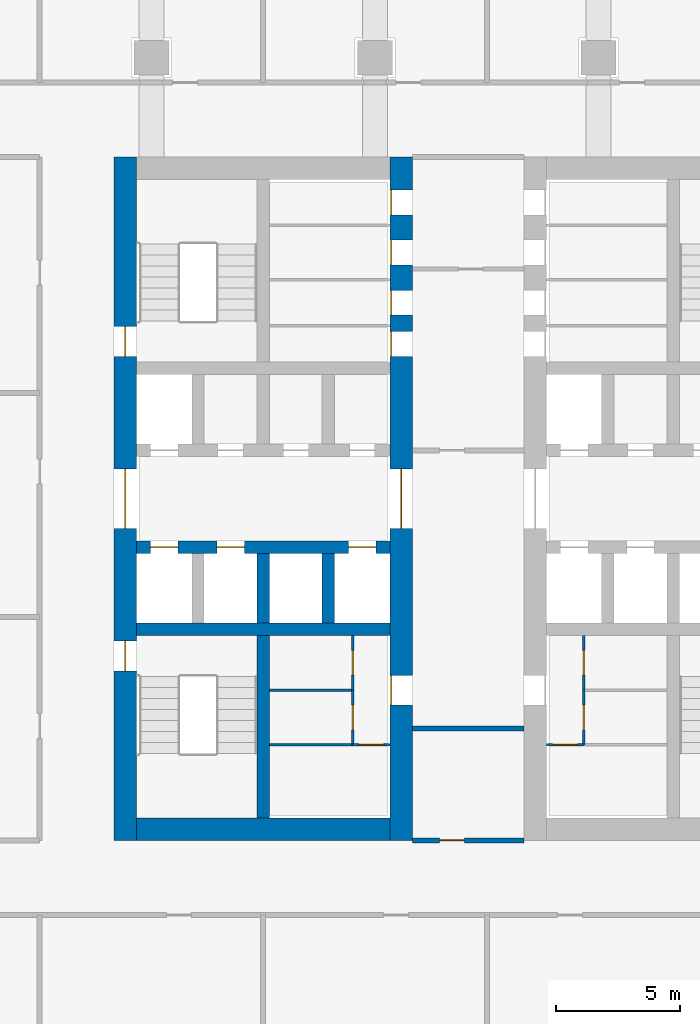
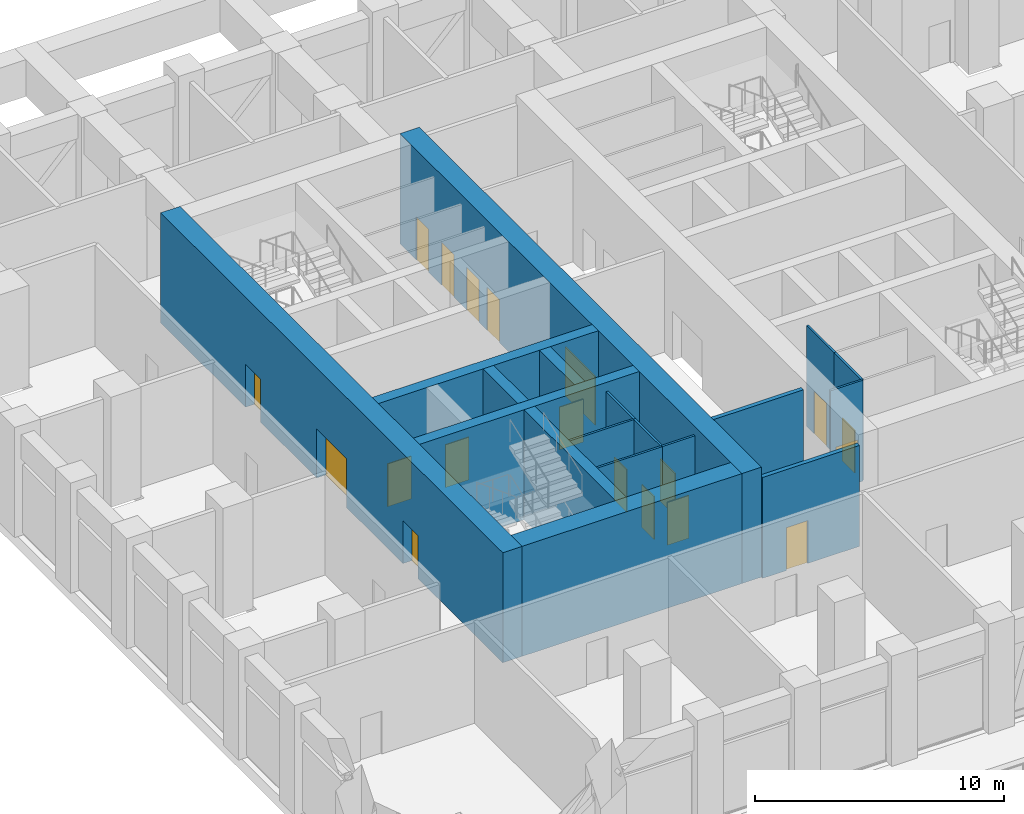
# One storey, part 4 of 20: 19 doors, 18 walls, 19 openings.
"""IFC4 building model written with IfcOpenShell, lengths in metres."""

from ifc_helpers import new_model, si_unit, direction, frame, frame_2d, origin, place, context, subcontext, project, spatial, rectangle, extrude, material, layer, layer_set, type_object, element, fill, save


model = new_model("IFC4")

# Units and contexts
model_context = context("Model", 3, precision=1e-05, world=origin(), true_north=direction((0.0, 1.0)))
body_context = subcontext(model_context, "Body", "Model", "MODEL_VIEW")
ifc_project = project(units=[si_unit("LENGTHUNIT", "METRE"), si_unit("AREAUNIT", "SQUARE_METRE"), si_unit("VOLUMEUNIT", "CUBIC_METRE"), si_unit("PLANEANGLEUNIT", "RADIAN"), si_unit("MASSUNIT", "GRAM", prefix="KILO")], contexts=[model_context])

# Site, building, storey
site_placement = place(None, origin())
site = spatial("IfcSite", under=ifc_project, at=site_placement, CompositionType="ELEMENT")
building_placement = place(site_placement, origin())
building = spatial("IfcBuilding", under=site, at=building_placement, Name="Corbel Stack Research Tower", CompositionType="ELEMENT")
storey_placement = place(building_placement, frame((0.0, 0.0, 76.60009765625)))
storey = spatial("IfcBuildingStorey", under=building, at=storey_placement, Name="L17", CompositionType="ELEMENT", Elevation=76.60009765625)

# Wall
ifc_material_1 = material(Name="Concrete C70/85", Category="concrete")
ifc_layer_1 = layer(ifc_material_1, 0.5)
ifc_layer_set_1 = layer_set([ifc_layer_1], Name="Concrete C70/85")
wall_type_1 = type_object("IfcWallType", Name="CW-500-70", PredefinedType="SHEAR", material=ifc_layer_set_1)
wall_1_placement = place(storey_placement, frame((-9.60009765625, -0.5, 0.0), z_axis=(0.0, 0.0, 1.0), x_axis=(1.0, 0.0, 0.0)))
element("IfcWall", 1, at=wall_1_placement, inside=storey, type_object=wall_type_1, Name="West core wall, south row back L17", PredefinedType="SHEAR", context=body_context, shape_type="SweptSolid", body=[
    extrude(rectangle(XDim=10.2001953125, YDim=0.5, at=frame_2d((5.10009765625, 0.0))), origin(), (0.0, 0.0, 1.0), 5.39990234375),
])

# Wall, openings, doors
wall_2_placement = place(storey_placement, frame((-9.60009765625, 2.800048828125, 0.0), z_axis=(0.0, 0.0, 1.0), x_axis=(1.0, 0.0, 0.0)))
wall_2 = element("IfcWall", 2, at=wall_2_placement, inside=storey, type_object=wall_type_1, Name="West core wall, lobby south L17", PredefinedType="SHEAR", context=body_context, shape_type="SweptSolid", body=[
    extrude(rectangle(XDim=10.2001953125, YDim=0.5, at=frame_2d((5.10009765625, 0.0))), origin(), (0.0, 0.0, 1.0), 5.39990234375),
])
opening_1_placement = place(wall_2_placement, frame((0.5625, 0.0, 0.0)))
opening_1 = element("IfcOpeningElement", 3, at=opening_1_placement, cuts=wall_2, Name="Opening LD-FS1", PredefinedType="OPENING", context=body_context, shape_type="SweptSolid", body=[
    extrude(rectangle(XDim=1.10009765625, YDim=2.10009765625, at=frame_2d((0.550048828125, 1.050048828125))), frame((0.0, 0.260009765625, 0.0), z_axis=(0.0, -1.0, 0.0), x_axis=(1.0, 0.0, 0.0)), (0.0, 0.0, 1.0), 0.52001953125),
])
opening_2_placement = place(wall_2_placement, frame((3.237548828125, 0.0, 0.0)))
opening_2 = element("IfcOpeningElement", 4, at=opening_2_placement, cuts=wall_2, Name="Opening LD-GL1", PredefinedType="OPENING", context=body_context, shape_type="SweptSolid", body=[
    extrude(rectangle(XDim=1.10009765625, YDim=2.10009765625, at=frame_2d((0.550048828125, 1.050048828125))), frame((0.0, 0.260009765625, 0.0), z_axis=(0.0, -1.0, 0.0), x_axis=(1.0, 0.0, 0.0)), (0.0, 0.0, 1.0), 0.52001953125),
])
opening_3_placement = place(wall_2_placement, frame((8.53759765625, 0.0, 0.0)))
opening_3 = element("IfcOpeningElement", 5, at=opening_3_placement, cuts=wall_2, Name="Opening LD-LR1", PredefinedType="OPENING", context=body_context, shape_type="SweptSolid", body=[
    extrude(rectangle(XDim=1.10009765625, YDim=2.10009765625, at=frame_2d((0.550048828125, 1.050048828125))), frame((0.0, 0.260009765625, 0.0), z_axis=(0.0, -1.0, 0.0), x_axis=(1.0, 0.0, 0.0)), (0.0, 0.0, 1.0), 0.52001953125),
])
ifc_material_2 = material(Name="Stainless steel landing door", Category="steel")
door_type_1 = type_object("IfcDoorType", Name="Lift landing door 1100 x 2100", OperationType="DOUBLE_DOOR_SLIDING", PredefinedType="DOOR", material=ifc_material_2)
door_1_placement = place(opening_1_placement, origin())
door_1 = element("IfcDoor", 6, at=door_1_placement, inside=storey, type_object=door_type_1, Name="Landing door FS1", OperationType="DOUBLE_DOOR_SLIDING", OverallHeight=2.10009765625, OverallWidth=1.10009765625, PredefinedType="DOOR", context=body_context, shape_type="SweptSolid", body=[
    extrude(rectangle(XDim=1.10009765625, YDim=2.10009765625, at=frame_2d((0.550048828125, 1.050048828125))), frame((0.0, 0.02490234375, 0.0), z_axis=(0.0, -1.0, 0.0), x_axis=(1.0, 0.0, 0.0)), (0.0, 0.0, 1.0), 0.050048828125),
])
fill(opening_1, door_1)
door_2_placement = place(opening_2_placement, origin())
door_2 = element("IfcDoor", 7, at=door_2_placement, inside=storey, type_object=door_type_1, Name="Landing door GL1", OperationType="DOUBLE_DOOR_SLIDING", OverallHeight=2.10009765625, OverallWidth=1.10009765625, PredefinedType="DOOR", context=body_context, shape_type="SweptSolid", body=[
    extrude(rectangle(XDim=1.10009765625, YDim=2.10009765625, at=frame_2d((0.550048828125, 1.050048828125))), frame((0.0, 0.02490234375, 0.0), z_axis=(0.0, -1.0, 0.0), x_axis=(1.0, 0.0, 0.0)), (0.0, 0.0, 1.0), 0.050048828125),
])
fill(opening_2, door_2)
door_3_placement = place(opening_3_placement, origin())
door_3 = element("IfcDoor", 8, at=door_3_placement, inside=storey, type_object=door_type_1, Name="Landing door LR1", OperationType="DOUBLE_DOOR_SLIDING", OverallHeight=2.10009765625, OverallWidth=1.10009765625, PredefinedType="DOOR", context=body_context, shape_type="SweptSolid", body=[
    extrude(rectangle(XDim=1.10009765625, YDim=2.10009765625, at=frame_2d((0.550048828125, 1.050048828125))), frame((0.0, 0.02490234375, 0.0), z_axis=(0.0, -1.0, 0.0), x_axis=(1.0, 0.0, 0.0)), (0.0, 0.0, 1.0), 0.050048828125),
])
fill(opening_3, door_3)

# Walls
for number, where, z_axis, x_axis, name in (
    (9, (-4.5, -0.25, 0.0), (0.0, 0.0, 1.0), (0.0, 1.0, 0.0), "West core wall, south shaft 2 L17"),
    (10, (-1.875, -0.25, 0.0), (0.0, 0.0, 1.0), (0.0, 1.0, 0.0), "West core wall, south shaft 3 L17"),
):
    element("IfcWall", number, at=place(storey_placement, frame(where, z_axis=z_axis, x_axis=x_axis)), inside=storey, type_object=wall_type_1, Name=name, PredefinedType="SHEAR", context=body_context, shape_type="SweptSolid", body=[
        extrude(rectangle(XDim=2.800048828125, YDim=0.5, at=frame_2d((1.39990234375, 0.0))), origin(), (0.0, 0.0, 1.0), 5.39990234375),
    ])
wall_3_placement = place(storey_placement, frame((-4.5, -8.10009765625, 0.0), z_axis=(0.0, 0.0, 1.0), x_axis=(0.0, 1.0, 0.0)))
element("IfcWall", 11, at=wall_3_placement, inside=storey, type_object=wall_type_1, Name="West core wall, south stair and WC L17", PredefinedType="SHEAR", context=body_context, shape_type="SweptSolid", body=[
    extrude(rectangle(XDim=7.35009765625, YDim=0.5, at=frame_2d((3.675048828125, 0.0))), origin(), (0.0, 0.0, 1.0), 5.39990234375),
])

# Wall, openings, doors
ifc_material_3 = material(Name="Concrete C70/85", Category="concrete")
ifc_layer_2 = layer(ifc_material_3, 0.89990234375)
ifc_layer_set_2 = layer_set([ifc_layer_2], Name="Concrete C70/85")
wall_type_2 = type_object("IfcWallType", Name="CW-900-70", PredefinedType="SHEAR", material=ifc_layer_set_2)
wall_4_placement = place(storey_placement, frame((-10.050048828125, -9.0, 0.0), z_axis=(0.0, 0.0, 1.0), x_axis=(0.0, 1.0, 0.0)))
wall_4 = element("IfcWall", 12, at=wall_4_placement, inside=storey, type_object=wall_type_2, Name="West core wall, west face L17", PredefinedType="SHEAR", context=body_context, shape_type="SweptSolid", body=[
    extrude(rectangle(XDim=27.5, YDim=0.89990234375, at=frame_2d((13.75, 0.0))), origin(), (0.0, 0.0, 1.0), 5.39990234375),
])
opening_4_placement = place(wall_4_placement, frame((12.550048828125, 0.0, 0.0)))
opening_4 = element("IfcOpeningElement", 13, at=opening_4_placement, cuts=wall_4, Name="Opening CD-W-W", PredefinedType="OPENING", context=body_context, shape_type="SweptSolid", body=[
    extrude(rectangle(XDim=2.39990234375, YDim=2.39990234375, at=frame_2d((1.199951171875, 1.199951171875))), frame((0.0, 0.4599609375, 0.0), z_axis=(0.0, -1.0, 0.0), x_axis=(1.0, 0.0, 0.0)), (0.0, 0.0, 1.0), 0.919921875),
])
opening_5_placement = place(wall_4_placement, frame((6.824951171875, 0.0, 0.0)))
opening_5 = element("IfcOpeningElement", 14, at=opening_5_placement, cuts=wall_4, Name="Opening SD-ST-W1", PredefinedType="OPENING", context=body_context, shape_type="SweptSolid", body=[
    extrude(rectangle(XDim=1.199951171875, YDim=2.10009765625, at=frame_2d((0.60009765625, 1.050048828125))), frame((0.0, 0.4599609375, 0.0), z_axis=(0.0, -1.0, 0.0), x_axis=(1.0, 0.0, 0.0)), (0.0, 0.0, 1.0), 0.919921875),
])
opening_6_placement = place(wall_4_placement, frame((19.47509765625, 0.0, 0.0)))
opening_6 = element("IfcOpeningElement", 15, at=opening_6_placement, cuts=wall_4, Name="Opening SD-ST-W2", PredefinedType="OPENING", context=body_context, shape_type="SweptSolid", body=[
    extrude(rectangle(XDim=1.199951171875, YDim=2.10009765625, at=frame_2d((0.60009765625, 1.050048828125))), frame((0.0, 0.4599609375, 0.0), z_axis=(0.0, -1.0, 0.0), x_axis=(1.0, 0.0, 0.0)), (0.0, 0.0, 1.0), 0.919921875),
])
ifc_material_4 = material(Name="Painted steel fire door", Category="steel")
door_type_2 = type_object("IfcDoorType", Name="Lobby door pair 2400 x 2400 FD30S", OperationType="DOUBLE_DOOR_DOUBLE_SWING", PredefinedType="DOOR", material=ifc_material_4)
door_4_placement = place(opening_4_placement, origin())
door_4 = element("IfcDoor", 16, at=door_4_placement, inside=storey, type_object=door_type_2, Name="Lift lobby door W core W", OperationType="DOUBLE_DOOR_DOUBLE_SWING", OverallHeight=2.39990234375, OverallWidth=2.39990234375, PredefinedType="DOOR", context=body_context, shape_type="SweptSolid", body=[
    extrude(rectangle(XDim=2.39990234375, YDim=2.39990234375, at=frame_2d((1.199951171875, 1.199951171875))), frame((0.0, 0.02490234375, 0.0), z_axis=(0.0, -1.0, 0.0), x_axis=(1.0, 0.0, 0.0)), (0.0, 0.0, 1.0), 0.050048828125),
])
fill(opening_4, door_4)
ifc_material_5 = material(Name="Painted steel fire door", Category="steel")
door_type_3 = type_object("IfcDoorType", Name="Stair door 1200 x 2100 FD90 left hand", OperationType="SINGLE_SWING_LEFT", PredefinedType="DOOR", material=ifc_material_5)
door_5_placement = place(opening_5_placement, origin())
door_5 = element("IfcDoor", 17, at=door_5_placement, inside=storey, type_object=door_type_3, Name="Stair door ST-W1", OperationType="SINGLE_SWING_LEFT", OverallHeight=2.10009765625, OverallWidth=1.199951171875, PredefinedType="DOOR", context=body_context, shape_type="SweptSolid", body=[
    extrude(rectangle(XDim=1.199951171875, YDim=2.10009765625, at=frame_2d((0.60009765625, 1.050048828125))), frame((0.0, 0.02490234375, 0.0), z_axis=(0.0, -1.0, 0.0), x_axis=(1.0, 0.0, 0.0)), (0.0, 0.0, 1.0), 0.050048828125),
])
fill(opening_5, door_5)
door_6_placement = place(opening_6_placement, origin())
door_6 = element("IfcDoor", 18, at=door_6_placement, inside=storey, type_object=door_type_3, Name="Stair door ST-W2", OperationType="SINGLE_SWING_LEFT", OverallHeight=2.10009765625, OverallWidth=1.199951171875, PredefinedType="DOOR", context=body_context, shape_type="SweptSolid", body=[
    extrude(rectangle(XDim=1.199951171875, YDim=2.10009765625, at=frame_2d((0.60009765625, 1.050048828125))), frame((0.0, 0.02490234375, 0.0), z_axis=(0.0, -1.0, 0.0), x_axis=(1.0, 0.0, 0.0)), (0.0, 0.0, 1.0), 0.050048828125),
])
fill(opening_6, door_6)

wall_5_placement = place(storey_placement, frame((1.050048828125, -9.0, 0.0), z_axis=(0.0, 0.0, 1.0), x_axis=(0.0, 1.0, 0.0)))
wall_5 = element("IfcWall", 19, at=wall_5_placement, inside=storey, type_object=wall_type_2, Name="West core wall, east face L17", PredefinedType="SHEAR", context=body_context, shape_type="SweptSolid", body=[
    extrude(rectangle(XDim=27.5, YDim=0.89990234375, at=frame_2d((13.75, 0.0))), origin(), (0.0, 0.0, 1.0), 5.39990234375),
])
opening_7_placement = place(wall_5_placement, frame((12.550048828125, 0.0, 0.0)))
opening_7 = element("IfcOpeningElement", 20, at=opening_7_placement, cuts=wall_5, Name="Opening CD-W-E", PredefinedType="OPENING", context=body_context, shape_type="SweptSolid", body=[
    extrude(rectangle(XDim=2.39990234375, YDim=2.39990234375, at=frame_2d((1.199951171875, 1.199951171875))), frame((0.0, 0.4599609375, 0.0), z_axis=(0.0, -1.0, 0.0), x_axis=(1.0, 0.0, 0.0)), (0.0, 0.0, 1.0), 0.919921875),
])
opening_8_placement = place(wall_5_placement, frame((5.445068359375, 0.0, 0.0)))
opening_8 = element("IfcOpeningElement", 21, at=opening_8_placement, cuts=wall_5, Name="Opening CR-W66-W1-1200", PredefinedType="OPENING", context=body_context, shape_type="SweptSolid", body=[
    extrude(rectangle(XDim=1.199951171875, YDim=2.10009765625, at=frame_2d((0.60009765625, 1.050048828125))), frame((0.0, 0.4599609375, 0.0), z_axis=(0.0, -1.0, 0.0), x_axis=(1.0, 0.0, 0.0)), (0.0, 0.0, 1.0), 0.919921875),
])
opening_9_placement = place(wall_5_placement, frame((19.485107421875, 0.0, 0.0)))
opening_9 = element("IfcOpeningElement", 22, at=opening_9_placement, cuts=wall_5, Name="Opening CR-W66-R1-1000", PredefinedType="OPENING", context=body_context, shape_type="SweptSolid", body=[
    extrude(rectangle(XDim=1.0, YDim=2.10009765625, at=frame_2d((0.5, 1.050048828125))), frame((0.0, 0.4599609375, 0.0), z_axis=(0.0, -1.0, 0.0), x_axis=(1.0, 0.0, 0.0)), (0.0, 0.0, 1.0), 0.919921875),
])
opening_10_placement = place(wall_5_placement, frame((21.138916015625, 0.0, 0.0)))
opening_10 = element("IfcOpeningElement", 23, at=opening_10_placement, cuts=wall_5, Name="Opening CR-W66-R2-1000", PredefinedType="OPENING", context=body_context, shape_type="SweptSolid", body=[
    extrude(rectangle(XDim=1.0, YDim=2.10009765625, at=frame_2d((0.5, 1.050048828125))), frame((0.0, 0.4599609375, 0.0), z_axis=(0.0, -1.0, 0.0), x_axis=(1.0, 0.0, 0.0)), (0.0, 0.0, 1.0), 0.919921875),
])
opening_11_placement = place(wall_5_placement, frame((23.159912109375, 0.0, 0.0)))
opening_11 = element("IfcOpeningElement", 24, at=opening_11_placement, cuts=wall_5, Name="Opening CR-W66-R3-1000", PredefinedType="OPENING", context=body_context, shape_type="SweptSolid", body=[
    extrude(rectangle(XDim=1.0, YDim=2.10009765625, at=frame_2d((0.5, 1.050048828125))), frame((0.0, 0.4599609375, 0.0), z_axis=(0.0, -1.0, 0.0), x_axis=(1.0, 0.0, 0.0)), (0.0, 0.0, 1.0), 0.919921875),
])
opening_12_placement = place(wall_5_placement, frame((25.18115234375, 0.0, 0.0)))
opening_12 = element("IfcOpeningElement", 25, at=opening_12_placement, cuts=wall_5, Name="Opening CR-W66-R4-1000", PredefinedType="OPENING", context=body_context, shape_type="SweptSolid", body=[
    extrude(rectangle(XDim=1.0, YDim=2.10009765625, at=frame_2d((0.5, 1.050048828125))), frame((0.0, 0.4599609375, 0.0), z_axis=(0.0, -1.0, 0.0), x_axis=(1.0, 0.0, 0.0)), (0.0, 0.0, 1.0), 0.919921875),
])
door_7_placement = place(opening_7_placement, origin())
door_7 = element("IfcDoor", 26, at=door_7_placement, inside=storey, type_object=door_type_2, Name="Lift lobby door W core E", OperationType="DOUBLE_DOOR_DOUBLE_SWING", OverallHeight=2.39990234375, OverallWidth=2.39990234375, PredefinedType="DOOR", context=body_context, shape_type="SweptSolid", body=[
    extrude(rectangle(XDim=2.39990234375, YDim=2.39990234375, at=frame_2d((1.199951171875, 1.199951171875))), frame((0.0, 0.02490234375, 0.0), z_axis=(0.0, -1.0, 0.0), x_axis=(1.0, 0.0, 0.0)), (0.0, 0.0, 1.0), 0.050048828125),
])
fill(opening_7, door_7)
ifc_material_6 = material(Name="Painted steel door", Category="steel")
door_type_4 = type_object("IfcDoorType", Name="Riser door 1000 x 2100 FD60 left hand", OperationType="SINGLE_SWING_LEFT", PredefinedType="DOOR", material=ifc_material_6)
door_8_placement = place(opening_9_placement, origin())
door_8 = element("IfcDoor", 27, at=door_8_placement, inside=storey, type_object=door_type_4, Name="Electrical plant riser door W core", OperationType="SINGLE_SWING_LEFT", OverallHeight=2.10009765625, OverallWidth=1.0, PredefinedType="DOOR", context=body_context, shape_type="SweptSolid", body=[
    extrude(rectangle(XDim=1.0, YDim=2.10009765625, at=frame_2d((0.5, 1.050048828125))), frame((0.0, 0.4248046875, 0.0), z_axis=(0.0, -1.0, 0.0), x_axis=(1.0, 0.0, 0.0)), (0.0, 0.0, 1.0), 0.050048828125),
])
fill(opening_9, door_8)
ifc_material_7 = material(Name="Painted steel door", Category="steel")
door_type_5 = type_object("IfcDoorType", Name="Riser door 1000 x 2100 FD60 right hand", OperationType="SINGLE_SWING_RIGHT", PredefinedType="DOOR", material=ifc_material_7)
door_9_placement = place(opening_10_placement, origin())
door_9 = element("IfcDoor", 28, at=door_9_placement, inside=storey, type_object=door_type_5, Name="Telecom plant room door W core", OperationType="SINGLE_SWING_RIGHT", OverallHeight=2.10009765625, OverallWidth=1.0, PredefinedType="DOOR", context=body_context, shape_type="SweptSolid", body=[
    extrude(rectangle(XDim=1.0, YDim=2.10009765625, at=frame_2d((0.5, 1.050048828125))), frame((0.0, 0.4248046875, 0.0), z_axis=(0.0, -1.0, 0.0), x_axis=(1.0, 0.0, 0.0)), (0.0, 0.0, 1.0), 0.050048828125),
])
fill(opening_10, door_9)
ifc_material_8 = material(Name="Painted steel door", Category="steel")
door_type_6 = type_object("IfcDoorType", Name="Service door 1000 x 2100 FD30 left hand", OperationType="SINGLE_SWING_LEFT", PredefinedType="DOOR", material=ifc_material_8)
door_10_placement = place(opening_11_placement, origin())
door_10 = element("IfcDoor", 29, at=door_10_placement, inside=storey, type_object=door_type_6, Name="Pantry door W core", OperationType="SINGLE_SWING_LEFT", OverallHeight=2.10009765625, OverallWidth=1.0, PredefinedType="DOOR", context=body_context, shape_type="SweptSolid", body=[
    extrude(rectangle(XDim=1.0, YDim=2.10009765625, at=frame_2d((0.5, 1.050048828125))), frame((0.0, 0.4248046875, 0.0), z_axis=(0.0, -1.0, 0.0), x_axis=(1.0, 0.0, 0.0)), (0.0, 0.0, 1.0), 0.050048828125),
])
fill(opening_11, door_10)
ifc_material_9 = material(Name="Painted steel door", Category="steel")
door_type_7 = type_object("IfcDoorType", Name="Service door 1000 x 2100 FD30 right hand", OperationType="SINGLE_SWING_RIGHT", PredefinedType="DOOR", material=ifc_material_9)
door_11_placement = place(opening_12_placement, origin())
door_11 = element("IfcDoor", 30, at=door_11_placement, inside=storey, type_object=door_type_7, Name="Cleaner's store door W core", OperationType="SINGLE_SWING_RIGHT", OverallHeight=2.10009765625, OverallWidth=1.0, PredefinedType="DOOR", context=body_context, shape_type="SweptSolid", body=[
    extrude(rectangle(XDim=1.0, YDim=2.10009765625, at=frame_2d((0.5, 1.050048828125))), frame((0.0, 0.4248046875, 0.0), z_axis=(0.0, -1.0, 0.0), x_axis=(1.0, 0.0, 0.0)), (0.0, 0.0, 1.0), 0.050048828125),
])
fill(opening_12, door_11)
ifc_material_10 = material(Name="Painted timber door", Category="wood")
door_type_8 = type_object("IfcDoorType", Name="WC door 1200 x 2100 left hand", OperationType="SINGLE_SWING_LEFT", PredefinedType="DOOR", material=ifc_material_10)
door_12_placement = place(opening_8_placement, origin())
door_12 = element("IfcDoor", 31, at=door_12_placement, inside=storey, type_object=door_type_8, Name="WC lobby door W core", OperationType="SINGLE_SWING_LEFT", OverallHeight=2.10009765625, OverallWidth=1.199951171875, PredefinedType="DOOR", context=body_context, shape_type="SweptSolid", body=[
    extrude(rectangle(XDim=1.199951171875, YDim=2.10009765625, at=frame_2d((0.60009765625, 1.050048828125))), frame((0.0, 0.4248046875, 0.0), z_axis=(0.0, -1.0, 0.0), x_axis=(1.0, 0.0, 0.0)), (0.0, 0.0, 1.0), 0.050048828125),
])
fill(opening_8, door_12)

# Wall
wall_6_placement = place(storey_placement, frame((-9.60009765625, -8.550048828125, 0.0), z_axis=(0.0, 0.0, 1.0), x_axis=(1.0, 0.0, 0.0)))
element("IfcWall", 32, at=wall_6_placement, inside=storey, type_object=wall_type_2, Name="West core wall, south end L17", PredefinedType="SHEAR", context=body_context, shape_type="SweptSolid", body=[
    extrude(rectangle(XDim=10.2001953125, YDim=0.89990234375, at=frame_2d((5.10009765625, 0.0))), origin(), (0.0, 0.0, 1.0), 5.39990234375),
])

# Wall, opening, door
ifc_material_11 = material(Name="Gypsum board")
ifc_layer_3 = layer(ifc_material_11, 0.10009765625)
ifc_layer_set_3 = layer_set([ifc_layer_3], Name="Gypsum board")
wall_type_3 = type_object("IfcWallType", Name="Core partition 100", PredefinedType="PARTITIONING", material=ifc_layer_set_3)
wall_7_placement = place(storey_placement, frame((-0.89990234375, -5.159912109375, 0.0), z_axis=(0.0, 0.0, 1.0), x_axis=(1.0, 0.0, 0.0)))
wall_7 = element("IfcWall", 33, at=wall_7_placement, inside=storey, type_object=wall_type_3, Name="Core partition W", PredefinedType="PARTITIONING", context=body_context, shape_type="SweptSolid", body=[
    extrude(rectangle(XDim=1.5, YDim=0.10009765625, at=frame_2d((0.75, 0.0))), origin(), (0.0, 0.0, 1.0), 4.949951171875),
])
opening_13_placement = place(wall_7_placement, frame((0.25, 0.0, 0.0)))
opening_13 = element("IfcOpeningElement", 34, at=opening_13_placement, cuts=wall_7, Name="Opening CR-W66-W2-1000", PredefinedType="OPENING", context=body_context, shape_type="SweptSolid", body=[
    extrude(rectangle(XDim=1.0, YDim=2.10009765625, at=frame_2d((0.5, 1.050048828125))), frame((0.0, 0.06005859375, 0.0), z_axis=(0.0, -1.0, 0.0), x_axis=(1.0, 0.0, 0.0)), (0.0, 0.0, 1.0), 0.1201171875),
])
ifc_material_12 = material(Name="Painted timber door", Category="wood")
door_type_9 = type_object("IfcDoorType", Name="WC door 1000 x 2100 right hand", OperationType="SINGLE_SWING_RIGHT", PredefinedType="DOOR", material=ifc_material_12)
door_13_placement = place(opening_13_placement, origin())
door_13 = element("IfcDoor", 35, at=door_13_placement, inside=storey, type_object=door_type_9, Name="Accessible WC door W core", OperationType="SINGLE_SWING_RIGHT", OverallHeight=2.10009765625, OverallWidth=1.0, PredefinedType="DOOR", context=body_context, shape_type="SweptSolid", body=[
    extrude(rectangle(XDim=1.0, YDim=2.10009765625, at=frame_2d((0.5, 1.050048828125))), frame((0.0, 0.02490234375, 0.0), z_axis=(0.0, -1.0, 0.0), x_axis=(1.0, 0.0, 0.0)), (0.0, 0.0, 1.0), 0.050048828125),
])
fill(opening_13, door_13)

wall_8_placement = place(storey_placement, frame((-0.89990234375, -5.159912109375, 0.0), z_axis=(0.0, 0.0, 1.0), x_axis=(0.0, 1.0, 0.0)))
wall_8 = element("IfcWall", 36, at=wall_8_placement, inside=storey, type_object=wall_type_3, Name="Core partition W", PredefinedType="PARTITIONING", context=body_context, shape_type="SweptSolid", body=[
    extrude(rectangle(XDim=2.204833984375, YDim=0.10009765625, at=frame_2d((1.1025390625, 0.0))), origin(), (0.0, 0.0, 1.0), 4.949951171875),
])
opening_14_placement = place(wall_8_placement, frame((0.6025390625, 0.0, 0.0)))
opening_14 = element("IfcOpeningElement", 37, at=opening_14_placement, cuts=wall_8, Name="Opening CR-W66-W3-1000", PredefinedType="OPENING", context=body_context, shape_type="SweptSolid", body=[
    extrude(rectangle(XDim=1.0, YDim=2.10009765625, at=frame_2d((0.5, 1.050048828125))), frame((0.0, 0.06005859375, 0.0), z_axis=(0.0, -1.0, 0.0), x_axis=(1.0, 0.0, 0.0)), (0.0, 0.0, 1.0), 0.1201171875),
])
ifc_material_13 = material(Name="Painted timber door", Category="wood")
door_type_10 = type_object("IfcDoorType", Name="WC door 1000 x 2100 left hand", OperationType="SINGLE_SWING_LEFT", PredefinedType="DOOR", material=ifc_material_13)
door_14_placement = place(opening_14_placement, origin())
door_14 = element("IfcDoor", 38, at=door_14_placement, inside=storey, type_object=door_type_10, Name="Men's WC door W core", OperationType="SINGLE_SWING_LEFT", OverallHeight=2.10009765625, OverallWidth=1.0, PredefinedType="DOOR", context=body_context, shape_type="SweptSolid", body=[
    extrude(rectangle(XDim=1.0, YDim=2.10009765625, at=frame_2d((0.5, 1.050048828125))), frame((0.0, 0.02490234375, 0.0), z_axis=(0.0, -1.0, 0.0), x_axis=(1.0, 0.0, 0.0)), (0.0, 0.0, 1.0), 0.050048828125),
])
fill(opening_14, door_14)

wall_9_placement = place(storey_placement, frame((-0.89990234375, -2.955078125, 0.0), z_axis=(0.0, 0.0, 1.0), x_axis=(0.0, 1.0, 0.0)))
wall_9 = element("IfcWall", 39, at=wall_9_placement, inside=storey, type_object=wall_type_3, Name="Core partition W", PredefinedType="PARTITIONING", context=body_context, shape_type="SweptSolid", body=[
    extrude(rectangle(XDim=2.205078125, YDim=0.10009765625, at=frame_2d((1.1025390625, 0.0))), origin(), (0.0, 0.0, 1.0), 4.949951171875),
])
opening_15_placement = place(wall_9_placement, frame((0.6025390625, 0.0, 0.0)))
opening_15 = element("IfcOpeningElement", 40, at=opening_15_placement, cuts=wall_9, Name="Opening CR-W66-W4-1000", PredefinedType="OPENING", context=body_context, shape_type="SweptSolid", body=[
    extrude(rectangle(XDim=1.0, YDim=2.10009765625, at=frame_2d((0.5, 1.050048828125))), frame((0.0, 0.06005859375, 0.0), z_axis=(0.0, -1.0, 0.0), x_axis=(1.0, 0.0, 0.0)), (0.0, 0.0, 1.0), 0.1201171875),
])
door_15_placement = place(opening_15_placement, origin())
door_15 = element("IfcDoor", 41, at=door_15_placement, inside=storey, type_object=door_type_9, Name="Women's WC door W core", OperationType="SINGLE_SWING_RIGHT", OverallHeight=2.10009765625, OverallWidth=1.0, PredefinedType="DOOR", context=body_context, shape_type="SweptSolid", body=[
    extrude(rectangle(XDim=1.0, YDim=2.10009765625, at=frame_2d((0.5, 1.050048828125))), frame((0.0, 0.02490234375, 0.0), z_axis=(0.0, -1.0, 0.0), x_axis=(1.0, 0.0, 0.0)), (0.0, 0.0, 1.0), 0.050048828125),
])
fill(opening_15, door_15)

# Walls
for number, where, z_axis, x_axis, name in (
    (42, (-4.25, -5.159912109375, 0.0), (0.0, 0.0, 1.0), (1.0, 0.0, 0.0), "Core partition W"),
    (43, (-4.25, -2.955078125, 0.0), (0.0, 0.0, 1.0), (1.0, 0.0, 0.0), "Core partition W"),
):
    element("IfcWall", number, at=place(storey_placement, frame(where, z_axis=z_axis, x_axis=x_axis)), inside=storey, type_object=wall_type_3, Name=name, PredefinedType="PARTITIONING", context=body_context, shape_type="SweptSolid", body=[
        extrude(rectangle(XDim=3.35009765625, YDim=0.10009765625, at=frame_2d((1.675048828125, 0.0))), origin(), (0.0, 0.0, 1.0), 4.949951171875),
    ])

# Wall, opening, door
wall_10_placement = place(storey_placement, frame((6.89990234375, -5.159912109375, 0.0), z_axis=(0.0, 0.0, 1.0), x_axis=(1.0, 0.0, 0.0)))
wall_10 = element("IfcWall", 44, at=wall_10_placement, inside=storey, type_object=wall_type_3, Name="Core partition E", PredefinedType="PARTITIONING", context=body_context, shape_type="SweptSolid", body=[
    extrude(rectangle(XDim=1.5, YDim=0.10009765625, at=frame_2d((0.75, 0.0))), origin(), (0.0, 0.0, 1.0), 4.949951171875),
])
opening_16_placement = place(wall_10_placement, frame((0.25, 0.0, 0.0)))
opening_16 = element("IfcOpeningElement", 45, at=opening_16_placement, cuts=wall_10, Name="Opening CR-E66-W2-1000", PredefinedType="OPENING", context=body_context, shape_type="SweptSolid", body=[
    extrude(rectangle(XDim=1.0, YDim=2.10009765625, at=frame_2d((0.5, 1.050048828125))), frame((0.0, 0.06005859375, 0.0), z_axis=(0.0, -1.0, 0.0), x_axis=(1.0, 0.0, 0.0)), (0.0, 0.0, 1.0), 0.1201171875),
])
door_16_placement = place(opening_16_placement, origin())
door_16 = element("IfcDoor", 46, at=door_16_placement, inside=storey, type_object=door_type_10, Name="Accessible WC door E core", OperationType="SINGLE_SWING_LEFT", OverallHeight=2.10009765625, OverallWidth=1.0, PredefinedType="DOOR", context=body_context, shape_type="SweptSolid", body=[
    extrude(rectangle(XDim=1.0, YDim=2.10009765625, at=frame_2d((0.5, 1.050048828125))), frame((0.0, 0.02490234375, 0.0), z_axis=(0.0, -1.0, 0.0), x_axis=(1.0, 0.0, 0.0)), (0.0, 0.0, 1.0), 0.050048828125),
])
fill(opening_16, door_16)

wall_11_placement = place(storey_placement, frame((8.39990234375, -5.159912109375, 0.0), z_axis=(0.0, 0.0, 1.0), x_axis=(0.0, 1.0, 0.0)))
wall_11 = element("IfcWall", 47, at=wall_11_placement, inside=storey, type_object=wall_type_3, Name="Core partition E", PredefinedType="PARTITIONING", context=body_context, shape_type="SweptSolid", body=[
    extrude(rectangle(XDim=2.204833984375, YDim=0.10009765625, at=frame_2d((1.1025390625, 0.0))), origin(), (0.0, 0.0, 1.0), 4.949951171875),
])
opening_17_placement = place(wall_11_placement, frame((0.6025390625, 0.0, 0.0)))
opening_17 = element("IfcOpeningElement", 48, at=opening_17_placement, cuts=wall_11, Name="Opening CR-E66-W3-1000", PredefinedType="OPENING", context=body_context, shape_type="SweptSolid", body=[
    extrude(rectangle(XDim=1.0, YDim=2.10009765625, at=frame_2d((0.5, 1.050048828125))), frame((0.0, 0.06005859375, 0.0), z_axis=(0.0, -1.0, 0.0), x_axis=(1.0, 0.0, 0.0)), (0.0, 0.0, 1.0), 0.1201171875),
])
door_17_placement = place(opening_17_placement, origin())
door_17 = element("IfcDoor", 49, at=door_17_placement, inside=storey, type_object=door_type_9, Name="Men's WC door E core", OperationType="SINGLE_SWING_RIGHT", OverallHeight=2.10009765625, OverallWidth=1.0, PredefinedType="DOOR", context=body_context, shape_type="SweptSolid", body=[
    extrude(rectangle(XDim=1.0, YDim=2.10009765625, at=frame_2d((0.5, 1.050048828125))), frame((0.0, 0.02490234375, 0.0), z_axis=(0.0, -1.0, 0.0), x_axis=(1.0, 0.0, 0.0)), (0.0, 0.0, 1.0), 0.050048828125),
])
fill(opening_17, door_17)

wall_12_placement = place(storey_placement, frame((8.39990234375, -2.955078125, 0.0), z_axis=(0.0, 0.0, 1.0), x_axis=(0.0, 1.0, 0.0)))
wall_12 = element("IfcWall", 50, at=wall_12_placement, inside=storey, type_object=wall_type_3, Name="Core partition E", PredefinedType="PARTITIONING", context=body_context, shape_type="SweptSolid", body=[
    extrude(rectangle(XDim=2.205078125, YDim=0.10009765625, at=frame_2d((1.1025390625, 0.0))), origin(), (0.0, 0.0, 1.0), 4.949951171875),
])
opening_18_placement = place(wall_12_placement, frame((0.6025390625, 0.0, 0.0)))
opening_18 = element("IfcOpeningElement", 51, at=opening_18_placement, cuts=wall_12, Name="Opening CR-E66-W4-1000", PredefinedType="OPENING", context=body_context, shape_type="SweptSolid", body=[
    extrude(rectangle(XDim=1.0, YDim=2.10009765625, at=frame_2d((0.5, 1.050048828125))), frame((0.0, 0.06005859375, 0.0), z_axis=(0.0, -1.0, 0.0), x_axis=(1.0, 0.0, 0.0)), (0.0, 0.0, 1.0), 0.1201171875),
])
door_18_placement = place(opening_18_placement, origin())
door_18 = element("IfcDoor", 52, at=door_18_placement, inside=storey, type_object=door_type_10, Name="Women's WC door E core", OperationType="SINGLE_SWING_LEFT", OverallHeight=2.10009765625, OverallWidth=1.0, PredefinedType="DOOR", context=body_context, shape_type="SweptSolid", body=[
    extrude(rectangle(XDim=1.0, YDim=2.10009765625, at=frame_2d((0.5, 1.050048828125))), frame((0.0, 0.02490234375, 0.0), z_axis=(0.0, -1.0, 0.0), x_axis=(1.0, 0.0, 0.0)), (0.0, 0.0, 1.0), 0.050048828125),
])
fill(opening_18, door_18)

ifc_material_14 = material(Name="Fire-rated gypsum board partition on steel studs", Category="steel")
ifc_layer_4 = layer(ifc_material_14, 0.199951171875)
ifc_layer_set_4 = layer_set([ifc_layer_4], Name="Fire-rated gypsum board partition on steel studs")
wall_type_4 = type_object("IfcWallType", Name="Fire-rated partition 200 EI 60", PredefinedType="PARTITIONING", material=ifc_layer_set_4)
wall_13_placement = place(storey_placement, frame((1.5, -9.0, 0.0), z_axis=(0.0, 0.0, 1.0), x_axis=(1.0, 0.0, 0.0)))
wall_13 = element("IfcWall", 53, at=wall_13_placement, inside=storey, type_object=wall_type_4, Name="Partition L17-016", PredefinedType="PARTITIONING", context=body_context, shape_type="SweptSolid", body=[
    extrude(rectangle(XDim=4.5, YDim=0.199951171875, at=frame_2d((2.25, 0.0))), origin(), (0.0, 0.0, 1.0), 4.949951171875),
])
opening_19_placement = place(wall_13_placement, frame((1.10009765625, 0.0, 0.0)))
opening_19 = element("IfcOpeningElement", 54, at=opening_19_placement, cuts=wall_13, Name="Opening PLANTL17-010", PredefinedType="OPENING", context=body_context, shape_type="SweptSolid", body=[
    extrude(rectangle(XDim=1.0, YDim=2.10009765625, at=frame_2d((0.5, 1.050048828125))), frame((0.0, 0.10986328125, 0.0), z_axis=(0.0, -1.0, 0.0), x_axis=(1.0, 0.0, 0.0)), (0.0, 0.0, 1.0), 0.219970703125),
])
ifc_material_15 = material(Name="Painted steel fire door", Category="steel")
door_type_11 = type_object("IfcDoorType", Name="Fire door FD30S 1000 x 2100", OperationType="NOTDEFINED", PredefinedType="DOOR", material=ifc_material_15)
door_19_placement = place(opening_19_placement, origin())
door_19 = element("IfcDoor", 55, at=door_19_placement, inside=storey, type_object=door_type_11, Name="Door PLANTL17-010", OperationType="SINGLE_SWING_LEFT", OverallHeight=2.10009765625, OverallWidth=1.0, PredefinedType="DOOR", context=body_context, shape_type="SweptSolid", body=[
    extrude(rectangle(XDim=1.0, YDim=2.10009765625, at=frame_2d((0.5, 1.050048828125))), frame((0.0, 0.02490234375, 0.0), z_axis=(0.0, -1.0, 0.0), x_axis=(1.0, 0.0, 0.0)), (0.0, 0.0, 1.0), 0.050048828125),
])
fill(opening_19, door_19)

# Wall
wall_14_placement = place(storey_placement, frame((1.5, -4.5, 0.0), z_axis=(0.0, 0.0, 1.0), x_axis=(1.0, 0.0, 0.0)))
element("IfcWall", 56, at=wall_14_placement, inside=storey, type_object=wall_type_4, Name="Partition L17-020", PredefinedType="PARTITIONING", context=body_context, shape_type="SweptSolid", body=[
    extrude(rectangle(XDim=4.5, YDim=0.199951171875, at=frame_2d((2.25, 0.0))), origin(), (0.0, 0.0, 1.0), 4.949951171875),
])

save(model, "model.ifc")
